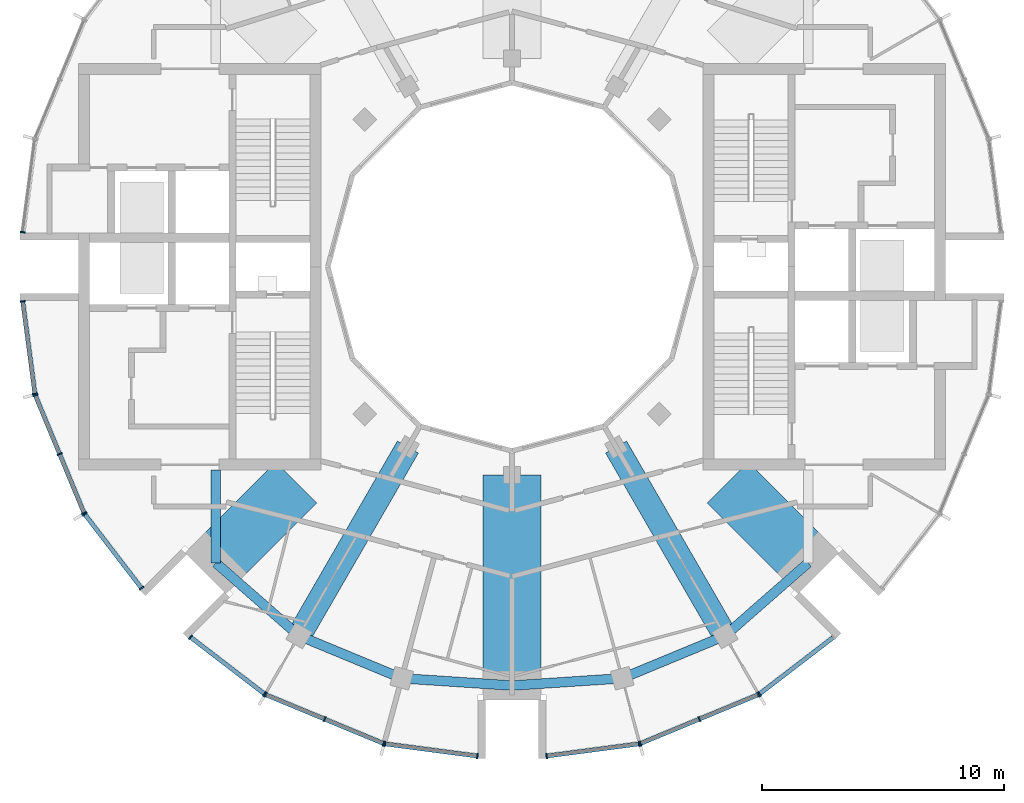
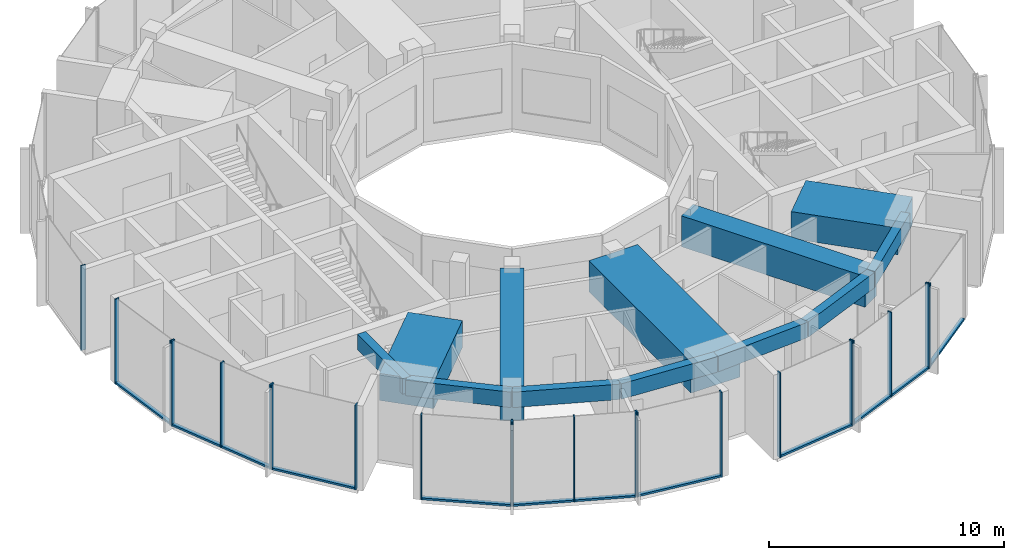
# One storey, part 2 of 13: 33 members, 12 beams, 10 elements without a shape of their own.
"""IFC4 building model written with IfcOpenShell, lengths in metres."""

import ifcopenshell
import ifcopenshell.guid

model = None  # the IFC model being written
_history = None  # IfcOwnerHistory: only IFC2X3 demands one
_inside = {}  # id of a spatial element -> (the spatial element, [elements in it])
_under = {}  # id of a project, library or spatial element -> (it, [spatial elements below it])
_declared = {}  # id of a project -> (the project, [libraries it declares])
_typed = {}  # id of a type object -> (the type object, [elements of that type])
_made_of = {}  # id of a material, layer set ... -> (it, [elements and type objects made of it])


def new_model(schema):
    """Start an empty IFC model of exactly this schema.

    Asked for "IFC4X3", IfcOpenShell would pick the latest addendum, in which some entities
    have other attributes; the version numbers below select the first issue.
    IFC2X3 requires an IfcOwnerHistory on every rooted entity: one is made here for all.
    """
    global model, _history
    if schema == "IFC4X3":
        model = ifcopenshell.file(schema_version=(4, 3, 0, 0))
    else:
        model = ifcopenshell.file(schema=schema)
    _inside.clear()
    _under.clear()
    _declared.clear()
    _typed.clear()
    _made_of.clear()
    _history = None
    if model.schema == "IFC2X3":
        org = make("IfcOrganization", Name="unknown")
        user = make(
            "IfcPersonAndOrganization",
            ThePerson=make("IfcPerson", FamilyName="unknown"),
            TheOrganization=org,
        )
        app = make(
            "IfcApplication",
            ApplicationDeveloper=org,
            Version="unknown",
            ApplicationFullName="unknown",
            ApplicationIdentifier="unknown",
        )
        _history = make(
            "IfcOwnerHistory",
            OwningUser=user,
            OwningApplication=app,
            ChangeAction="ADDED",
            CreationDate=0,
        )
    return model


def make(cls, **values):
    """One entity of the class cls with the attributes given. An attribute that is None is left unset."""
    return model.create_entity(
        cls, **{name: value for name, value in values.items() if value is not None}
    )


def rooted(cls, **values):
    """An entity with a GlobalId (a new one), such as an element, a storey or a relation."""
    return make(cls, GlobalId=ifcopenshell.guid.new(), OwnerHistory=_history, **values)


def si_unit(unit_type, name, prefix=None):
    """IfcSIUnit, for example si_unit("LENGTHUNIT", "METRE", prefix="MILLI")."""
    return make("IfcSIUnit", UnitType=unit_type, Prefix=prefix, Name=name)


def assignment(units):
    """IfcUnitAssignment: the units of a project."""
    return None if units is None else make("IfcUnitAssignment", Units=units)


def point(xyz):
    """IfcCartesianPoint."""
    return None if xyz is None else make("IfcCartesianPoint", Coordinates=xyz)


def direction(xyz):
    """IfcDirection."""
    return None if xyz is None else make("IfcDirection", DirectionRatios=xyz)


def frame(location, z_axis=None, x_axis=None):
    """IfcAxis2Placement3D, a coordinate frame: its origin and axes. An axis left out is left unset."""
    return make(
        "IfcAxis2Placement3D",
        Location=point(location),
        Axis=direction(z_axis),
        RefDirection=direction(x_axis),
    )


def frame_2d(location, x_axis=None):
    """IfcAxis2Placement2D, a coordinate frame in the plane: its origin and x axis."""
    return make(
        "IfcAxis2Placement2D", Location=point(location), RefDirection=direction(x_axis)
    )


def origin():
    """The frame at (0, 0, 0) with its axes left unset."""
    return frame((0.0, 0.0, 0.0))


def origin_2d():
    """The frame at (0, 0) in the plane with its x axis left unset."""
    return frame_2d((0.0, 0.0))


def place(relative_to, where):
    """IfcLocalPlacement: puts the frame where relative to a parent placement (None: the world)."""
    return make(
        "IfcLocalPlacement", PlacementRelTo=relative_to, RelativePlacement=where
    )


def context(
    kind, dimensions, precision=None, world=None, true_north=None, identifier=None
):
    """IfcGeometricRepresentationContext, for example the 3D "Model" context."""
    return make(
        "IfcGeometricRepresentationContext",
        ContextIdentifier=identifier,
        ContextType=kind,
        CoordinateSpaceDimension=dimensions,
        Precision=precision,
        WorldCoordinateSystem=world,
        TrueNorth=true_north,
    )


def subcontext(parent, identifier, kind, view, scale=None):
    """IfcGeometricRepresentationSubContext, for example "Body" below "Model"."""
    return make(
        "IfcGeometricRepresentationSubContext",
        ContextIdentifier=identifier,
        ContextType=kind,
        ParentContext=parent,
        TargetScale=scale,
        TargetView=view,
    )


def project(units=None, contexts=None):
    """IfcProject with its units and contexts."""
    return rooted(
        "IfcProject",
        Name="project",
        RepresentationContexts=contexts,
        UnitsInContext=assignment(units),
    )


def spatial(cls, under=None, at=None, **own):
    """A site, building, storey or space (cls), placed at a placement, below another one or the project."""
    s = rooted(cls, ObjectPlacement=at, **own)
    if under is not None:
        _under.setdefault(under.id(), (under, []))[1].append(s)
    return s


def profile(cls, at=None, kind="AREA", **sizes):
    """A parametric profile (cls). Its sizes go by their IFC names, for example OverallWidth=200.0."""
    return make(cls, ProfileType=kind, Position=at, **sizes)


def rectangle(**sizes):
    """IfcRectangleProfileDef."""
    return profile("IfcRectangleProfileDef", **sizes)


def extrude(swept, where, along, depth):
    """IfcExtrudedAreaSolid: the profile swept, set in the frame where, extruded along a direction by depth."""
    return make(
        "IfcExtrudedAreaSolid",
        SweptArea=swept,
        Position=where,
        ExtrudedDirection=direction(along),
        Depth=depth,
    )


def shape(context_of_items, identifier, shape_type, items):
    """IfcShapeRepresentation: the items that make up one representation, for example the "Body"."""
    return make(
        "IfcShapeRepresentation",
        ContextOfItems=context_of_items,
        RepresentationIdentifier=identifier,
        RepresentationType=shape_type,
        Items=items,
    )


def material(Name=None, Category=None):
    """IfcMaterial."""
    return make("IfcMaterial", Name=Name, Category=Category)


def layer(
    of_material, thickness, ventilated=None, Name=None, Category=None, Priority=None
):
    """IfcMaterialLayer: one layer of a wall or slab, of a material (None: an air gap)."""
    return make(
        "IfcMaterialLayer",
        Material=of_material,
        LayerThickness=thickness,
        IsVentilated=ventilated,
        Name=Name,
        Category=Category,
        Priority=Priority,
    )


def layer_set(layers, Name=None):
    """IfcMaterialLayerSet."""
    return make("IfcMaterialLayerSet", MaterialLayers=layers, LayerSetName=Name)


def material_profile(
    of_material, cross_section, Name=None, Category=None, Priority=None
):
    """IfcMaterialProfile: a cross section and its material."""
    return make(
        "IfcMaterialProfile",
        Name=Name,
        Material=of_material,
        Profile=cross_section,
        Priority=Priority,
        Category=Category,
    )


def profile_set(profiles, Name=None, composite=None):
    """IfcMaterialProfileSet."""
    return make(
        "IfcMaterialProfileSet",
        Name=Name,
        MaterialProfiles=profiles,
        CompositeProfile=composite,
    )


def made_of(thing, what):
    """Note that an element or type object is made of a material, layer set ...; save() writes the relation."""
    if what is not None:
        _made_of.setdefault(what.id(), (what, []))[1].append(thing)
    return thing


def type_object(cls, material=None, **own):
    """A type object (cls), such as IfcWallType, which elements share."""
    return made_of(rooted(cls, **own), material)


def element(
    cls,
    number,
    at=None,
    inside=None,
    cuts=None,
    type_object=None,
    material=None,
    context=None,
    identifier="Body",
    shape_type=None,
    held_by="IfcProductDefinitionShape",
    body=None,
    shapes=None,
    **own,
):
    """One element of the class cls, such as IfcWall. Its Tag is "e" and its number.

    at: its placement. inside: the storey or other place that contains it. cuts: it is an
    opening in that element (IfcRelVoidsElement). A single representation is given by context,
    identifier, shape_type and body (its items); several are given by shapes. held_by: the class
    of the entity that holds the representations. save() writes the other relations.
    """
    e = rooted(cls, Tag="e%d" % number, ObjectPlacement=at, **own)
    if body is not None:
        shapes = [shape(context, identifier, shape_type, body)]
    if shapes is not None:
        e.Representation = make(held_by, Representations=shapes)
    if inside is not None:
        _inside.setdefault(inside.id(), (inside, []))[1].append(e)
    if cuts is not None:
        rooted(
            "IfcRelVoidsElement", RelatingBuildingElement=cuts, RelatedOpeningElement=e
        )
    if type_object is not None:
        _typed.setdefault(type_object.id(), (type_object, []))[1].append(e)
    return made_of(e, material)


def aggregate(whole, parts):
    """IfcRelAggregates: a whole, such as a stair, and the parts it consists of."""
    return rooted("IfcRelAggregates", RelatingObject=whole, RelatedObjects=parts)


def save(model, path):
    """Write the relations noted so far, then the file.

    IfcRelAggregates (storeys below a building ...), IfcRelContainedInSpatialStructure (elements
    in a storey), IfcRelDefinesByType, IfcRelAssociatesMaterial and IfcRelDeclares: one each for
    every whole, place, type object, material and project.
    """
    for whole, parts in _under.values():
        aggregate(whole, parts)
    for where, things in _inside.values():
        rooted(
            "IfcRelContainedInSpatialStructure",
            RelatedElements=things,
            RelatingStructure=where,
        )
    for kind, things in _typed.values():
        rooted("IfcRelDefinesByType", RelatedObjects=things, RelatingType=kind)
    for what, things in _made_of.values():
        rooted("IfcRelAssociatesMaterial", RelatedObjects=things, RelatingMaterial=what)
    for by, libraries in _declared.values():
        rooted("IfcRelDeclares", RelatingContext=by, RelatedDefinitions=libraries)
    model.write(path)


model = new_model("IFC4")

# Units and contexts
model_context = context("Model", 3, precision=1e-05, world=origin(), true_north=direction((0.0, 1.0)))
body_context = subcontext(model_context, "Body", "Model", "MODEL_VIEW")
ifc_project = project(units=[si_unit("LENGTHUNIT", "METRE"), si_unit("AREAUNIT", "SQUARE_METRE"), si_unit("VOLUMEUNIT", "CUBIC_METRE"), si_unit("PLANEANGLEUNIT", "RADIAN"), si_unit("MASSUNIT", "GRAM", prefix="KILO")], contexts=[model_context])

# Site, building, storey
site_placement = place(None, origin())
site = spatial("IfcSite", under=ifc_project, at=site_placement, CompositionType="ELEMENT")
building_placement = place(site_placement, origin())
building = spatial("IfcBuilding", under=site, at=building_placement, Name="Torre Brocal", CompositionType="ELEMENT")
storey_placement = place(building_placement, frame((0.0, 0.0, 323.699951171875)))
storey = spatial("IfcBuildingStorey", under=building, at=storey_placement, Name="L74", CompositionType="ELEMENT", Elevation=323.699951171875)

# Curtain wall, member
ifc_material_1 = material(Name="Aluminium and glass", Category="aluminium")
ifc_layer = layer(ifc_material_1, 0.199951171875)
ifc_layer_set = layer_set([ifc_layer], Name="Aluminium and glass")
curtain_wall_type = type_object("IfcCurtainWallType", Name="CW-5 CURTAIN WALL 4400 HIGH", PredefinedType="NOTDEFINED", material=ifc_layer_set)
curtain_wall_1_placement = place(storey_placement, origin())
curtain_wall_1 = element("IfcCurtainWall", 1, at=curtain_wall_1_placement, inside=storey, type_object=curtain_wall_type, Name="CW-5 RUN 12", PredefinedType="NOTDEFINED")
ifc_material_2 = material(Name="Aluminium, dark anodised", Category="aluminium")
ifc_material_profile_1 = material_profile(ifc_material_2, rectangle(XDim=0.219970703125, YDim=0.06005859375, at=origin_2d()), Name="CW-5 MULLION 60X220")
ifc_profile_set_1 = profile_set([ifc_material_profile_1], Name="Aluminium, dark anodised")
member_type_1 = type_object("IfcMemberType", Name="CW-5 MULLION 60X220", PredefinedType="MULLION", material=ifc_profile_set_1)
member_1_placement = place(storey_placement, frame((59.7890625, 76.4296875, 0.0), z_axis=(0.0, 0.0, 1.0), x_axis=(0.991444861394, -0.130526192064, 0.0)))
member_1 = element("IfcMember", 2, at=member_1_placement, type_object=member_type_1, Name="CW5-1 mullion 2", PredefinedType="MULLION", context=body_context, shape_type="SweptSolid", body=[
    extrude(rectangle(XDim=0.219970703125, YDim=0.06005859375, at=origin_2d()), origin(), (0.0, 0.0, 1.0), 4.400146484375),
])
aggregate(curtain_wall_1, [member_1])

# Curtain wall, members
curtain_wall_2_placement = place(storey_placement, origin())
curtain_wall_2 = element("IfcCurtainWall", 3, at=curtain_wall_2_placement, inside=storey, type_object=curtain_wall_type, Name="CW-5 RUN 13", PredefinedType="NOTDEFINED")
member_2_placement = place(storey_placement, frame((59.7890625, 73.5703125, 0.0), z_axis=(0.0, 0.0, 1.0), x_axis=(0.991444861394, 0.130526192064, 0.0)))
member_2 = element("IfcMember", 4, at=member_2_placement, type_object=member_type_1, Name="CW5-1 mullion 1", PredefinedType="MULLION", context=body_context, shape_type="SweptSolid", body=[
    extrude(rectangle(XDim=0.219970703125, YDim=0.06005859375, at=origin_2d()), origin(), (0.0, 0.0, 1.0), 4.400146484375),
])
member_3_placement = place(storey_placement, frame((60.2919921875, 69.75, 0.0), z_axis=(0.0, 0.0, 1.0), x_axis=(0.991444861394, 0.130526192064, 0.0)))
member_3 = element("IfcMember", 5, at=member_3_placement, type_object=member_type_1, Name="CW5-1 mullion 2", PredefinedType="MULLION", context=body_context, shape_type="SweptSolid", body=[
    extrude(rectangle(XDim=0.219970703125, YDim=0.06005859375, at=origin_2d()), origin(), (0.0, 0.0, 1.0), 4.400146484375),
])

curtain_wall_3_placement = place(storey_placement, origin())
curtain_wall_3 = element("IfcCurtainWall", 6, at=curtain_wall_3_placement, inside=storey, type_object=curtain_wall_type, Name="CW-5 RUN 14", PredefinedType="NOTDEFINED")
member_4_placement = place(storey_placement, frame((60.307373046875, 69.692626953125, 0.0), z_axis=(0.0, 0.0, 1.0), x_axis=(0.923879532478, 0.382683432446, 0.0)))
member_4 = element("IfcMember", 7, at=member_4_placement, type_object=member_type_1, Name="CW5-1 mullion 1", PredefinedType="MULLION", context=body_context, shape_type="SweptSolid", body=[
    extrude(rectangle(XDim=0.219970703125, YDim=0.06005859375, at=origin_2d()), origin(), (0.0, 0.0, 1.0), 4.400146484375),
])
member_5_placement = place(storey_placement, frame((61.31494140625, 67.26025390625, 0.0), z_axis=(0.0, 0.0, 1.0), x_axis=(0.923879532478, 0.382683432446, 0.0)))
member_5 = element("IfcMember", 8, at=member_5_placement, type_object=member_type_1, Name="CW5-1 mullion 2", PredefinedType="MULLION", context=body_context, shape_type="SweptSolid", body=[
    extrude(rectangle(XDim=0.219970703125, YDim=0.06005859375, at=origin_2d()), origin(), (0.0, 0.0, 1.0), 4.400146484375),
])
member_6_placement = place(storey_placement, frame((62.322265625, 64.828125, 0.0), z_axis=(0.0, 0.0, 1.0), x_axis=(0.923879532478, 0.382683432446, 0.0)))
member_6 = element("IfcMember", 9, at=member_6_placement, type_object=member_type_1, Name="CW5-1 mullion 3", PredefinedType="MULLION", context=body_context, shape_type="SweptSolid", body=[
    extrude(rectangle(XDim=0.219970703125, YDim=0.06005859375, at=origin_2d()), origin(), (0.0, 0.0, 1.0), 4.400146484375),
])

curtain_wall_4_placement = place(storey_placement, origin())
curtain_wall_4 = element("IfcCurtainWall", 10, at=curtain_wall_4_placement, inside=storey, type_object=curtain_wall_type, Name="CW-5 RUN 15", PredefinedType="NOTDEFINED")
member_7_placement = place(storey_placement, frame((62.35205078125, 64.776611328125, 0.0), z_axis=(0.0, 0.0, 1.0), x_axis=(0.793353340376, 0.608761428898, 0.0)))
member_7 = element("IfcMember", 11, at=member_7_placement, type_object=member_type_1, Name="CW5-1 mullion 1", PredefinedType="MULLION", context=body_context, shape_type="SweptSolid", body=[
    extrude(rectangle(XDim=0.219970703125, YDim=0.06005859375, at=origin_2d()), origin(), (0.0, 0.0, 1.0), 4.400146484375),
])
member_8_placement = place(storey_placement, frame((64.69775390625, 61.7197265625, 0.0), z_axis=(0.0, 0.0, 1.0), x_axis=(0.793353340376, 0.608761428898, 0.0)))
member_8 = element("IfcMember", 12, at=member_8_placement, type_object=member_type_1, Name="CW5-1 mullion 2", PredefinedType="MULLION", context=body_context, shape_type="SweptSolid", body=[
    extrude(rectangle(XDim=0.219970703125, YDim=0.06005859375, at=origin_2d()), origin(), (0.0, 0.0, 1.0), 4.400146484375),
])

curtain_wall_5_placement = place(storey_placement, origin())
curtain_wall_5 = element("IfcCurtainWall", 13, at=curtain_wall_5_placement, inside=storey, type_object=curtain_wall_type, Name="CW-5 RUN 16", PredefinedType="NOTDEFINED")
member_9_placement = place(storey_placement, frame((66.7197265625, 59.69775390625, 0.0), z_axis=(0.0, 0.0, 1.0), x_axis=(0.608761428898, 0.793353340376, 0.0)))
member_9 = element("IfcMember", 14, at=member_9_placement, type_object=member_type_1, Name="CW5-1 mullion 1", PredefinedType="MULLION", context=body_context, shape_type="SweptSolid", body=[
    extrude(rectangle(XDim=0.219970703125, YDim=0.06005859375, at=origin_2d()), origin(), (0.0, 0.0, 1.0), 4.400146484375),
])
member_10_placement = place(storey_placement, frame((69.776611328125, 57.35205078125, 0.0), z_axis=(0.0, 0.0, 1.0), x_axis=(0.608761428898, 0.793353340376, 0.0)))
member_10 = element("IfcMember", 15, at=member_10_placement, type_object=member_type_1, Name="CW5-1 mullion 2", PredefinedType="MULLION", context=body_context, shape_type="SweptSolid", body=[
    extrude(rectangle(XDim=0.219970703125, YDim=0.06005859375, at=origin_2d()), origin(), (0.0, 0.0, 1.0), 4.400146484375),
])

curtain_wall_6_placement = place(storey_placement, origin())
curtain_wall_6 = element("IfcCurtainWall", 16, at=curtain_wall_6_placement, inside=storey, type_object=curtain_wall_type, Name="CW-5 RUN 17", PredefinedType="NOTDEFINED")
member_11_placement = place(storey_placement, frame((69.828125, 57.322265625, 0.0), z_axis=(0.0, 0.0, 1.0), x_axis=(0.382683432446, 0.923879532478, 0.0)))
member_11 = element("IfcMember", 17, at=member_11_placement, type_object=member_type_1, Name="CW5-1 mullion 1", PredefinedType="MULLION", context=body_context, shape_type="SweptSolid", body=[
    extrude(rectangle(XDim=0.219970703125, YDim=0.06005859375, at=origin_2d()), origin(), (0.0, 0.0, 1.0), 4.400146484375),
])
member_12_placement = place(storey_placement, frame((72.26025390625, 56.31494140625, 0.0), z_axis=(0.0, 0.0, 1.0), x_axis=(0.382683432446, 0.923879532478, 0.0)))
member_12 = element("IfcMember", 18, at=member_12_placement, type_object=member_type_1, Name="CW5-1 mullion 2", PredefinedType="MULLION", context=body_context, shape_type="SweptSolid", body=[
    extrude(rectangle(XDim=0.219970703125, YDim=0.06005859375, at=origin_2d()), origin(), (0.0, 0.0, 1.0), 4.400146484375),
])
member_13_placement = place(storey_placement, frame((74.692626953125, 55.307373046875, 0.0), z_axis=(0.0, 0.0, 1.0), x_axis=(0.382683432446, 0.923879532478, 0.0)))
member_13 = element("IfcMember", 19, at=member_13_placement, type_object=member_type_1, Name="CW5-1 mullion 3", PredefinedType="MULLION", context=body_context, shape_type="SweptSolid", body=[
    extrude(rectangle(XDim=0.219970703125, YDim=0.06005859375, at=origin_2d()), origin(), (0.0, 0.0, 1.0), 4.400146484375),
])

curtain_wall_7_placement = place(storey_placement, origin())
curtain_wall_7 = element("IfcCurtainWall", 20, at=curtain_wall_7_placement, inside=storey, type_object=curtain_wall_type, Name="CW-5 RUN 18", PredefinedType="NOTDEFINED")
member_14_placement = place(storey_placement, frame((74.75, 55.2919921875, 0.0), z_axis=(0.0, 0.0, 1.0), x_axis=(0.130526192064, 0.991444861394, 0.0)))
member_14 = element("IfcMember", 21, at=member_14_placement, type_object=member_type_1, Name="CW5-1 mullion 1", PredefinedType="MULLION", context=body_context, shape_type="SweptSolid", body=[
    extrude(rectangle(XDim=0.219970703125, YDim=0.06005859375, at=origin_2d()), origin(), (0.0, 0.0, 1.0), 4.400146484375),
])
member_15_placement = place(storey_placement, frame((78.5703125, 54.7890625, 0.0), z_axis=(0.0, 0.0, 1.0), x_axis=(0.130526192064, 0.991444861394, 0.0)))
member_15 = element("IfcMember", 22, at=member_15_placement, type_object=member_type_1, Name="CW5-1 mullion 2", PredefinedType="MULLION", context=body_context, shape_type="SweptSolid", body=[
    extrude(rectangle(XDim=0.219970703125, YDim=0.06005859375, at=origin_2d()), origin(), (0.0, 0.0, 1.0), 4.400146484375),
])

curtain_wall_8_placement = place(storey_placement, origin())
curtain_wall_8 = element("IfcCurtainWall", 23, at=curtain_wall_8_placement, inside=storey, type_object=curtain_wall_type, Name="CW-5 RUN 19", PredefinedType="NOTDEFINED")
member_16_placement = place(storey_placement, frame((81.4296875, 54.7890625, 0.0), z_axis=(0.0, 0.0, 1.0), x_axis=(-0.130526192064, 0.991444861394, 0.0)))
member_16 = element("IfcMember", 24, at=member_16_placement, type_object=member_type_1, Name="CW5-1 mullion 1", PredefinedType="MULLION", context=body_context, shape_type="SweptSolid", body=[
    extrude(rectangle(XDim=0.219970703125, YDim=0.06005859375, at=origin_2d()), origin(), (0.0, 0.0, 1.0), 4.400146484375),
])
member_17_placement = place(storey_placement, frame((85.25, 55.2919921875, 0.0), z_axis=(0.0, 0.0, 1.0), x_axis=(-0.130526192064, 0.991444861394, 0.0)))
member_17 = element("IfcMember", 25, at=member_17_placement, type_object=member_type_1, Name="CW5-1 mullion 2", PredefinedType="MULLION", context=body_context, shape_type="SweptSolid", body=[
    extrude(rectangle(XDim=0.219970703125, YDim=0.06005859375, at=origin_2d()), origin(), (0.0, 0.0, 1.0), 4.400146484375),
])

curtain_wall_9_placement = place(storey_placement, origin())
curtain_wall_9 = element("IfcCurtainWall", 26, at=curtain_wall_9_placement, inside=storey, type_object=curtain_wall_type, Name="CW-5 RUN 20", PredefinedType="NOTDEFINED")
member_18_placement = place(storey_placement, frame((85.307373046875, 55.307373046875, 0.0), z_axis=(0.0, 0.0, 1.0), x_axis=(-0.382683432446, 0.923879532478, 0.0)))
member_18 = element("IfcMember", 27, at=member_18_placement, type_object=member_type_1, Name="CW5-1 mullion 1", PredefinedType="MULLION", context=body_context, shape_type="SweptSolid", body=[
    extrude(rectangle(XDim=0.219970703125, YDim=0.06005859375, at=origin_2d()), origin(), (0.0, 0.0, 1.0), 4.400146484375),
])
member_19_placement = place(storey_placement, frame((87.73974609375, 56.31494140625, 0.0), z_axis=(0.0, 0.0, 1.0), x_axis=(-0.382683432446, 0.923879532478, 0.0)))
member_19 = element("IfcMember", 28, at=member_19_placement, type_object=member_type_1, Name="CW5-1 mullion 2", PredefinedType="MULLION", context=body_context, shape_type="SweptSolid", body=[
    extrude(rectangle(XDim=0.219970703125, YDim=0.06005859375, at=origin_2d()), origin(), (0.0, 0.0, 1.0), 4.400146484375),
])
member_20_placement = place(storey_placement, frame((90.171875, 57.322265625, 0.0), z_axis=(0.0, 0.0, 1.0), x_axis=(-0.382683432446, 0.923879532478, 0.0)))
member_20 = element("IfcMember", 29, at=member_20_placement, type_object=member_type_1, Name="CW5-1 mullion 3", PredefinedType="MULLION", context=body_context, shape_type="SweptSolid", body=[
    extrude(rectangle(XDim=0.219970703125, YDim=0.06005859375, at=origin_2d()), origin(), (0.0, 0.0, 1.0), 4.400146484375),
])

# Curtain wall, member
curtain_wall_10_placement = place(storey_placement, origin())
curtain_wall_10 = element("IfcCurtainWall", 30, at=curtain_wall_10_placement, inside=storey, type_object=curtain_wall_type, Name="CW-5 RUN 21", PredefinedType="NOTDEFINED")
member_21_placement = place(storey_placement, frame((90.223388671875, 57.35205078125, 0.0), z_axis=(0.0, 0.0, 1.0), x_axis=(-0.608761428898, 0.793353340376, 0.0)))
member_21 = element("IfcMember", 31, at=member_21_placement, type_object=member_type_1, Name="CW5-1 mullion 1", PredefinedType="MULLION", context=body_context, shape_type="SweptSolid", body=[
    extrude(rectangle(XDim=0.219970703125, YDim=0.06005859375, at=origin_2d()), origin(), (0.0, 0.0, 1.0), 4.400146484375),
])

# Member
ifc_material_3 = material(Name="Aluminium, dark anodised", Category="aluminium")
ifc_material_profile_2 = material_profile(ifc_material_3, rectangle(XDim=0.179931640625, YDim=0.10009765625, at=origin_2d()), Name="CW-5 TRANSOM 180X100")
ifc_profile_set_2 = profile_set([ifc_material_profile_2], Name="Aluminium, dark anodised")
member_type_2 = type_object("IfcMemberType", Name="CW-5 TRANSOM 180X100", PredefinedType="USERDEFINED", material=ifc_profile_set_2)
member_22_placement = place(storey_placement, frame((59.79296875, 73.54052734375, 0.050048828125), z_axis=(0.130527769268, -0.99144465375, 0.0), x_axis=(0.99144465375, 0.130527769268, 0.0)))
member_22 = element("IfcMember", 32, at=member_22_placement, type_object=member_type_2, Name="CW5-1 transom 1.1", ObjectType="TRANSOM", PredefinedType="USERDEFINED", context=body_context, shape_type="SweptSolid", body=[
    extrude(rectangle(XDim=0.179931640625, YDim=0.10009765625, at=origin_2d()), origin(), (0.0, 0.0, 1.0), 3.793212890625),
])

aggregate(curtain_wall_2, [member_2, member_3, member_22])

member_23_placement = place(storey_placement, frame((60.31884765625, 69.664794921875, 0.050048828125), z_axis=(0.382734542152, -0.923858360488, 0.0), x_axis=(0.923858360488, 0.382734542152, 0.0)))
member_23 = element("IfcMember", 33, at=member_23_placement, type_object=member_type_2, Name="CW5-1 transom 1.1", ObjectType="TRANSOM", PredefinedType="USERDEFINED", context=body_context, shape_type="SweptSolid", body=[
    extrude(rectangle(XDim=0.179931640625, YDim=0.10009765625, at=origin_2d()), origin(), (0.0, 0.0, 1.0), 2.572509765625),
])

member_24_placement = place(storey_placement, frame((61.326416015625, 67.232666015625, 0.050048828125), z_axis=(0.382653538633, -0.923891914334, 0.0), x_axis=(0.923891914334, 0.382653538633, 0.0)))
member_24 = element("IfcMember", 34, at=member_24_placement, type_object=member_type_2, Name="CW5-1 transom 2.1", ObjectType="TRANSOM", PredefinedType="USERDEFINED", context=body_context, shape_type="SweptSolid", body=[
    extrude(rectangle(XDim=0.179931640625, YDim=0.10009765625, at=origin_2d()), origin(), (0.0, 0.0, 1.0), 2.572509765625),
])

aggregate(curtain_wall_3, [member_4, member_5, member_6, member_23, member_24])

member_25_placement = place(storey_placement, frame((62.370361328125, 64.7529296875, 0.050048828125), z_axis=(0.60872740935, -0.793379443335, 0.0), x_axis=(0.793379443335, 0.60872740935, 0.0)))
member_25 = element("IfcMember", 35, at=member_25_placement, type_object=member_type_2, Name="CW5-1 transom 1.1", ObjectType="TRANSOM", PredefinedType="USERDEFINED", context=body_context, shape_type="SweptSolid", body=[
    extrude(rectangle(XDim=0.179931640625, YDim=0.10009765625, at=origin_2d()), origin(), (0.0, 0.0, 1.0), 3.793212890625),
])

aggregate(curtain_wall_4, [member_7, member_8, member_25])

member_26_placement = place(storey_placement, frame((66.743408203125, 59.679443359375, 0.050048828125), z_axis=(0.793379443335, -0.60872740935, 0.0), x_axis=(0.60872740935, 0.793379443335, 0.0)))
member_26 = element("IfcMember", 36, at=member_26_placement, type_object=member_type_2, Name="CW5-1 transom 1.1", ObjectType="TRANSOM", PredefinedType="USERDEFINED", context=body_context, shape_type="SweptSolid", body=[
    extrude(rectangle(XDim=0.179931640625, YDim=0.10009765625, at=origin_2d()), origin(), (0.0, 0.0, 1.0), 3.793212890625),
])

aggregate(curtain_wall_5, [member_9, member_10, member_26])

member_27_placement = place(storey_placement, frame((69.85595703125, 57.310791015625, 0.050048828125), z_axis=(0.923891914334, -0.382653538633, 0.0), x_axis=(0.382653538633, 0.923891914334, 0.0)))
member_27 = element("IfcMember", 37, at=member_27_placement, type_object=member_type_2, Name="CW5-1 transom 1.1", ObjectType="TRANSOM", PredefinedType="USERDEFINED", context=body_context, shape_type="SweptSolid", body=[
    extrude(rectangle(XDim=0.179931640625, YDim=0.10009765625, at=origin_2d()), origin(), (0.0, 0.0, 1.0), 2.572509765625),
])

member_28_placement = place(storey_placement, frame((72.2880859375, 56.303466796875, 0.050048828125), z_axis=(0.923858360488, -0.382734542152, 0.0), x_axis=(0.382734542152, 0.923858360488, 0.0)))
member_28 = element("IfcMember", 38, at=member_28_placement, type_object=member_type_2, Name="CW5-1 transom 2.1", ObjectType="TRANSOM", PredefinedType="USERDEFINED", context=body_context, shape_type="SweptSolid", body=[
    extrude(rectangle(XDim=0.179931640625, YDim=0.10009765625, at=origin_2d()), origin(), (0.0, 0.0, 1.0), 2.572509765625),
])

aggregate(curtain_wall_6, [member_11, member_12, member_13, member_27, member_28])

member_29_placement = place(storey_placement, frame((74.77978515625, 55.2880859375, 0.050048828125), z_axis=(0.99144465375, -0.130527769268, 0.0), x_axis=(0.130527769268, 0.99144465375, 0.0)))
member_29 = element("IfcMember", 39, at=member_29_placement, type_object=member_type_2, Name="CW5-1 transom 1.1", ObjectType="TRANSOM", PredefinedType="USERDEFINED", context=body_context, shape_type="SweptSolid", body=[
    extrude(rectangle(XDim=0.179931640625, YDim=0.10009765625, at=origin_2d()), origin(), (0.0, 0.0, 1.0), 3.793212890625),
])

aggregate(curtain_wall_7, [member_14, member_15, member_29])

member_30_placement = place(storey_placement, frame((81.45947265625, 54.79296875, 0.050048828125), z_axis=(0.99144465375, 0.130527769268, 0.0), x_axis=(-0.130527769268, 0.99144465375, 0.0)))
member_30 = element("IfcMember", 40, at=member_30_placement, type_object=member_type_2, Name="CW5-1 transom 1.1", ObjectType="TRANSOM", PredefinedType="USERDEFINED", context=body_context, shape_type="SweptSolid", body=[
    extrude(rectangle(XDim=0.179931640625, YDim=0.10009765625, at=origin_2d()), origin(), (0.0, 0.0, 1.0), 3.793212890625),
])

aggregate(curtain_wall_8, [member_16, member_17, member_30])

member_31_placement = place(storey_placement, frame((85.335205078125, 55.31884765625, 0.050048828125), z_axis=(0.923858360488, 0.382734542152, 0.0), x_axis=(-0.382734542152, 0.923858360488, 0.0)))
member_31 = element("IfcMember", 41, at=member_31_placement, type_object=member_type_2, Name="CW5-1 transom 1.1", ObjectType="TRANSOM", PredefinedType="USERDEFINED", context=body_context, shape_type="SweptSolid", body=[
    extrude(rectangle(XDim=0.179931640625, YDim=0.10009765625, at=origin_2d()), origin(), (0.0, 0.0, 1.0), 2.572509765625),
])

member_32_placement = place(storey_placement, frame((87.767333984375, 56.326416015625, 0.050048828125), z_axis=(0.923891914334, 0.382653538633, 0.0), x_axis=(-0.382653538633, 0.923891914334, 0.0)))
member_32 = element("IfcMember", 42, at=member_32_placement, type_object=member_type_2, Name="CW5-1 transom 2.1", ObjectType="TRANSOM", PredefinedType="USERDEFINED", context=body_context, shape_type="SweptSolid", body=[
    extrude(rectangle(XDim=0.179931640625, YDim=0.10009765625, at=origin_2d()), origin(), (0.0, 0.0, 1.0), 2.572509765625),
])

aggregate(curtain_wall_9, [member_18, member_19, member_20, member_31, member_32])

member_33_placement = place(storey_placement, frame((90.2470703125, 57.370361328125, 0.050048828125), z_axis=(0.793379443335, 0.60872740935, 0.0), x_axis=(-0.60872740935, 0.793379443335, 0.0)))
member_33 = element("IfcMember", 43, at=member_33_placement, type_object=member_type_2, Name="CW5-1 transom 1.1", ObjectType="TRANSOM", PredefinedType="USERDEFINED", context=body_context, shape_type="SweptSolid", body=[
    extrude(rectangle(XDim=0.179931640625, YDim=0.10009765625, at=origin_2d()), origin(), (0.0, 0.0, 1.0), 3.793212890625),
])

aggregate(curtain_wall_10, [member_21, member_33])

# Beams
ifc_material_4 = material(Name="Concrete C50", Category="concrete")
ifc_material_profile_3 = material_profile(ifc_material_4, rectangle(XDim=0.39990234375, YDim=0.800048828125, at=origin_2d()), Name="RC 400X800")
ifc_profile_set_3 = profile_set([ifc_material_profile_3], Name="Concrete C50")
beam_type_1 = type_object("IfcBeamType", Name="RC SPANDREL BEAM 400X800 C50 TOP 4050", PredefinedType="SPANDREL", material=ifc_profile_set_3)
beam_1_placement = place(storey_placement, frame((67.76708984375, 62.76708984375, 3.650146484375), z_axis=(0.0, 1.0, 0.0), x_axis=(-1.0, 0.0, 0.0)))
element("IfcBeam", 44, at=beam_1_placement, inside=storey, type_object=beam_type_1, Name="Beam BT-51", PredefinedType="SPANDREL", context=body_context, shape_type="SweptSolid", body=[
    extrude(rectangle(XDim=0.39990234375, YDim=0.800048828125, at=origin_2d()), origin(), (0.0, 0.0, 1.0), 3.8330078125),
])
beam_2_placement = place(storey_placement, frame((67.76708984375, 62.76708984375, 3.650146484375), z_axis=(0.752003258433, -0.659159388393, 0.0), x_axis=(0.659159388393, 0.752003258433, 0.0)))
element("IfcBeam", 45, at=beam_2_placement, inside=storey, type_object=beam_type_1, Name="Beam BT-51", PredefinedType="SPANDREL", context=body_context, shape_type="SweptSolid", body=[
    extrude(rectangle(XDim=0.39990234375, YDim=0.800048828125, at=origin_2d()), origin(), (0.0, 0.0, 1.0), 4.56494140625),
])
beam_3_placement = place(storey_placement, frame((71.199951171875, 59.758056640625, 3.650146484375), z_axis=(0.923878240166, -0.382686552348, 0.0), x_axis=(0.382686552348, 0.923878240166, 0.0)))
element("IfcBeam", 46, at=beam_3_placement, inside=storey, type_object=beam_type_1, Name="Beam BT-51", PredefinedType="SPANDREL", context=body_context, shape_type="SweptSolid", body=[
    extrude(rectangle(XDim=0.39990234375, YDim=0.800048828125, at=origin_2d()), origin(), (0.0, 0.0, 1.0), 4.5947265625),
])
for number, where, z_axis, x_axis, name in (
    (47, (75.44482421875, 57.999755859375, 3.650146484375), (0.9978411205, -0.06567418244, 0.0), (0.06567418244, 0.9978411205, 0.0), "Beam BT-51"),
    (48, (80.0, 57.699951171875, 3.650146484375), (0.9978411205, 0.06567418244, 0.0), (-0.06567418244, 0.9978411205, 0.0), "Beam BT-51"),
):
    element("IfcBeam", number, at=place(storey_placement, frame(where, z_axis=z_axis, x_axis=x_axis)), inside=storey, type_object=beam_type_1, Name=name, PredefinedType="SPANDREL", context=body_context, shape_type="SweptSolid", body=[
        extrude(rectangle(XDim=0.39990234375, YDim=0.800048828125, at=origin_2d()), origin(), (0.0, 0.0, 1.0), 4.56494140625),
    ])
beam_4_placement = place(storey_placement, frame((84.55517578125, 57.999755859375, 3.650146484375), z_axis=(0.923878240166, 0.382686552348, 0.0), x_axis=(-0.382686552348, 0.923878240166, 0.0)))
element("IfcBeam", 49, at=beam_4_placement, inside=storey, type_object=beam_type_1, Name="Beam BT-51", PredefinedType="SPANDREL", context=body_context, shape_type="SweptSolid", body=[
    extrude(rectangle(XDim=0.39990234375, YDim=0.800048828125, at=origin_2d()), origin(), (0.0, 0.0, 1.0), 4.5947265625),
])
beam_5_placement = place(storey_placement, frame((88.800048828125, 59.758056640625, 3.650146484375), z_axis=(0.752003258433, 0.659159388393, 0.0), x_axis=(-0.659159388393, 0.752003258433, 0.0)))
element("IfcBeam", 50, at=beam_5_placement, inside=storey, type_object=beam_type_1, Name="Beam BT-51", PredefinedType="SPANDREL", context=body_context, shape_type="SweptSolid", body=[
    extrude(rectangle(XDim=0.39990234375, YDim=0.800048828125, at=origin_2d()), origin(), (0.0, 0.0, 1.0), 4.56494140625),
])
ifc_material_5 = material(Name="Concrete C60", Category="concrete")
ifc_material_profile_4 = material_profile(ifc_material_5, rectangle(XDim=1.0, YDim=1.60009765625, at=origin_2d()), Name="RC 1000X1600")
ifc_profile_set_4 = profile_set([ifc_material_profile_4], Name="Concrete C60")
beam_type_2 = type_object("IfcBeamType", Name="RC TRANSFER GIRDER 1000X1600 C60 TOP 4050", PredefinedType="BEAM", material=ifc_profile_set_4)
for number, where, z_axis, x_axis, name in (
    (51, (75.699951171875, 67.55224609375, 3.25), (-0.5000018851, -0.866024315419, 0.0), (0.866024315419, -0.5000018851, 0.0), "Beam TG-12"),
    (52, (84.300048828125, 67.55224609375, 3.25), (0.5000018851, -0.866024315419, 0.0), (0.866024315419, 0.5000018851, 0.0), "Beam TG-12"),
):
    element("IfcBeam", number, at=place(storey_placement, frame(where, z_axis=z_axis, x_axis=x_axis)), inside=storey, type_object=beam_type_2, Name=name, PredefinedType="BEAM", context=body_context, shape_type="SweptSolid", body=[
        extrude(rectangle(XDim=1.0, YDim=1.60009765625, at=origin_2d()), origin(), (0.0, 0.0, 1.0), 9.0),
    ])
ifc_material_6 = material(Name="Concrete C60", Category="concrete")
ifc_material_profile_5 = material_profile(ifc_material_6, rectangle(XDim=2.39990234375, YDim=1.39990234375, at=origin_2d()), Name="RC 2400X1400")
ifc_profile_set_5 = profile_set([ifc_material_profile_5], Name="Concrete C60")
beam_type_3 = type_object("IfcBeamType", Name="RC TRANSFER GIRDER 2400X1400 C60 TOP 4050", PredefinedType="BEAM", material=ifc_profile_set_5)
for number, where, z_axis, x_axis, name in (
    (53, (71.090576171875, 66.090576171875, 3.35009765625), (-0.707106781187, -0.707106781187, 0.0), (0.707106781187, -0.707106781187, 0.0), "Beam TG-11"),
    (54, (88.909423828125, 66.090576171875, 3.35009765625), (0.707106781187, -0.707106781187, 0.0), (0.707106781187, 0.707106781187, 0.0), "Beam TG-11"),
):
    element("IfcBeam", number, at=place(storey_placement, frame(where, z_axis=z_axis, x_axis=x_axis)), inside=storey, type_object=beam_type_3, Name=name, PredefinedType="BEAM", context=body_context, shape_type="SweptSolid", body=[
        extrude(rectangle(XDim=2.39990234375, YDim=1.39990234375, at=origin_2d()), origin(), (0.0, 0.0, 1.0), 4.7001953125),
    ])
ifc_material_7 = material(Name="Concrete C60", Category="concrete")
ifc_material_profile_6 = material_profile(ifc_material_7, rectangle(XDim=2.39990234375, YDim=1.60009765625, at=origin_2d()), Name="RC 2400X1600")
ifc_profile_set_6 = profile_set([ifc_material_profile_6], Name="Concrete C60")
beam_type_4 = type_object("IfcBeamType", Name="RC TRANSFER GIRDER 2400X1600 C60 TOP 4050", PredefinedType="BEAM", material=ifc_profile_set_6)
beam_6_placement = place(storey_placement, frame((80.0, 66.39990234375, 3.25), z_axis=(0.0, -1.0, 0.0), x_axis=(1.0, 0.0, 0.0)))
element("IfcBeam", 55, at=beam_6_placement, inside=storey, type_object=beam_type_4, Name="Beam TG-13", PredefinedType="BEAM", context=body_context, shape_type="SweptSolid", body=[
    extrude(rectangle(XDim=2.39990234375, YDim=1.60009765625, at=origin_2d()), origin(), (0.0, 0.0, 1.0), 8.699951171875),
])

save(model, "model.ifc")
